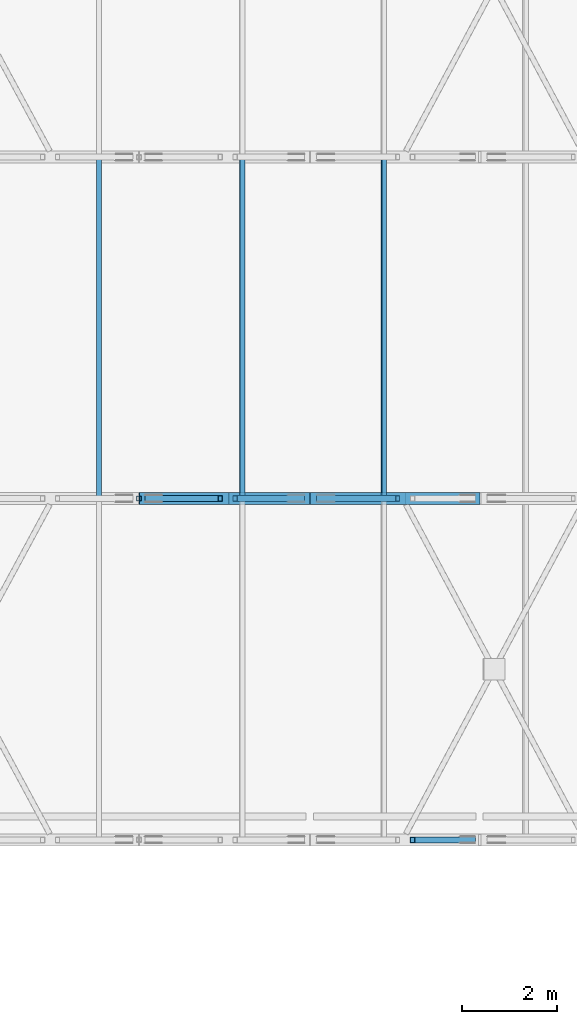
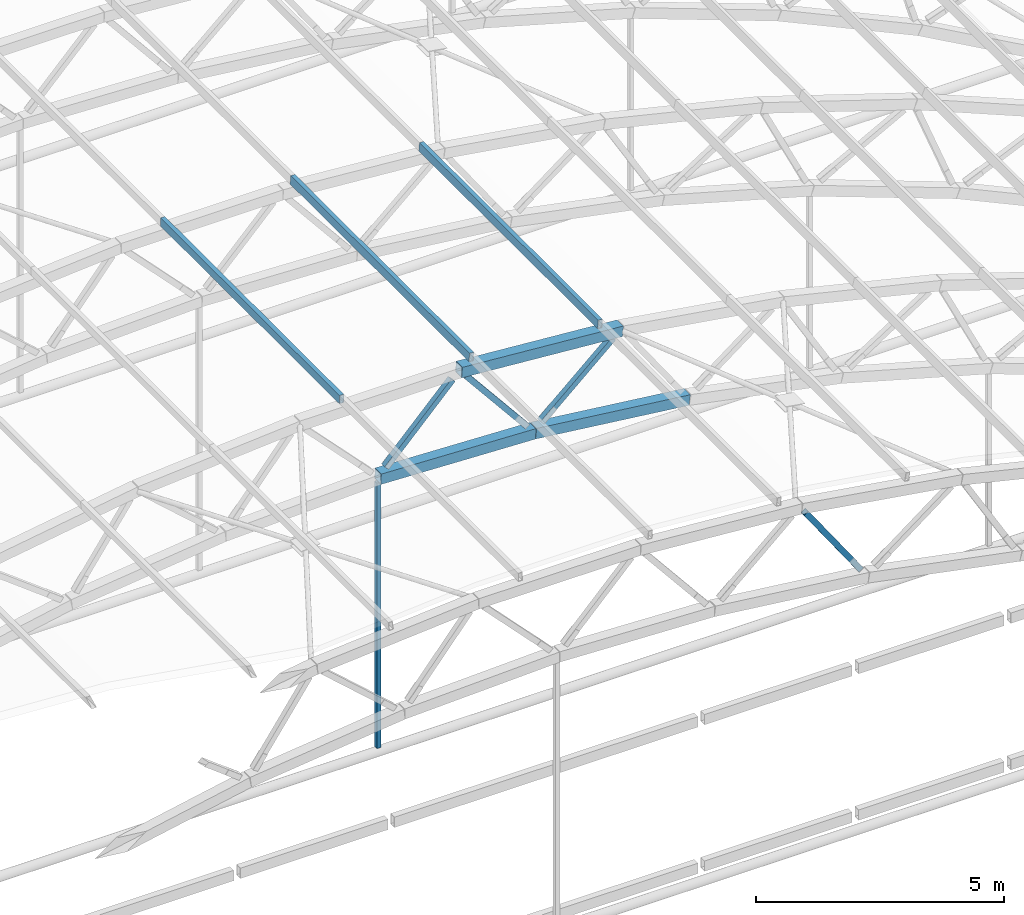
# One storey, part 15 of 127: 11 members.
"""IFC4 building model written with IfcOpenShell, lengths in metres."""

from ifc_helpers import new_model, si_unit, direction, frame, origin, origin_2d, place, context, subcontext, project, spatial, hollow_rectangle, extrude, material, material_profile, profile_set, type_object, element, save


model = new_model("IFC4")

# Units and contexts
model_context = context("Model", 3, precision=1e-05, world=origin(), true_north=direction((0.0, 1.0)))
body_context = subcontext(model_context, "Body", "Model", "MODEL_VIEW")
ifc_project = project(units=[si_unit("LENGTHUNIT", "METRE"), si_unit("AREAUNIT", "SQUARE_METRE"), si_unit("VOLUMEUNIT", "CUBIC_METRE"), si_unit("PLANEANGLEUNIT", "RADIAN"), si_unit("MASSUNIT", "GRAM", prefix="KILO")], contexts=[model_context])

# Site, building, storey
site_placement = place(None, origin())
site = spatial("IfcSite", under=ifc_project, at=site_placement, CompositionType="ELEMENT")
building_placement = place(site_placement, origin())
building = spatial("IfcBuilding", under=site, at=building_placement, Name="Verrick Yard Athletic Hall", CompositionType="ELEMENT")
storey_placement = place(building_placement, frame((0.0, 0.0, 14.0)))
storey = spatial("IfcBuildingStorey", under=building, at=storey_placement, Name="L03", CompositionType="ELEMENT", Elevation=14.0)

# Members
ifc_material = material(Name="Structural steel HSS Class C 350W (CSA G40.20/G40.21)", Category="steel")
ifc_material_profile_1 = material_profile(ifc_material, hollow_rectangle(XDim=0.25390625, YDim=0.25390625, WallThickness=0.009521484375, at=origin_2d()), Name="HSS254x254x9.5")
ifc_profile_set_1 = profile_set([ifc_material_profile_1], Name="Structural steel HSS Class C 350W (CSA G40.20/G40.21)")
member_type_1 = type_object("IfcMemberType", Name="HB bottom chord HSS254x254x9.5", PredefinedType="CHORD", material=ifc_profile_set_1)
for number, where, z_axis, x_axis, name in (
    (1, (52.0048828125, 79.199951171875, 6.757080078125), (0.999229864493, 0.0, -0.039238729647), (0.0, 1.0, 0.0), "Truss TB2 bottom chord 8"),
    (2, (55.608154296875, 79.199951171875, 6.615234375), (0.993094882284, 0.0, -0.117313915545), (0.0, 1.0, 0.0), "Truss TB2 bottom chord 9"),
):
    element("IfcMember", number, at=place(storey_placement, frame(where, z_axis=z_axis, x_axis=x_axis)), inside=storey, type_object=member_type_1, Name=name, PredefinedType="CHORD", context=body_context, shape_type="SweptSolid", body=[
        extrude(hollow_rectangle(XDim=0.25390625, YDim=0.25390625, WallThickness=0.009521484375, at=origin_2d()), origin(), (0.0, 0.0, 1.0), 3.59619140625),
    ])
ifc_material_profile_2 = material_profile(ifc_material, hollow_rectangle(XDim=0.1015625, YDim=0.203125, WallThickness=0.009521484375, at=origin_2d()), Name="HSS203x102x9.5")
ifc_profile_set_2 = profile_set([ifc_material_profile_2], Name="Structural steel HSS Class C 350W (CSA G40.20/G40.21)")
member_type_2 = type_object("IfcMemberType", Name="HB purlin HSS203x102x9.5", PredefinedType="PURLIN", material=ifc_profile_set_2)
for number, where, z_axis, x_axis, name in (
    (3, (51.15966796875, 79.199951171875, 8.948974609375), (0.0, 1.0, 0.0), (-1.0, 0.0, 0.0), "HB-PU-B-2-9"),
    (4, (54.1767578125, 79.199951171875, 8.92626953125), (0.0, 1.0, 0.0), (-0.996927304266, 0.0, 0.078332305011), "HB-PU-B-2-10"),
    (5, (57.16748046875, 79.199951171875, 8.69140625), (0.0, 1.0, 0.0), (-0.996927304266, 0.0, 0.078332305011), "HB-PU-B-2-11"),
):
    element("IfcMember", number, at=place(storey_placement, frame(where, z_axis=z_axis, x_axis=x_axis)), inside=storey, type_object=member_type_2, Name=name, PredefinedType="PURLIN", context=body_context, shape_type="SweptSolid", body=[
        extrude(hollow_rectangle(XDim=0.1015625, YDim=0.203125, WallThickness=0.009521484375, at=origin_2d()), origin(), (0.0, 0.0, 1.0), 7.199951171875),
    ])
ifc_material_profile_3 = material_profile(ifc_material, hollow_rectangle(XDim=0.25390625, YDim=0.25390625, WallThickness=0.009521484375, at=origin_2d()), Name="HSS254x254x9.5")
ifc_profile_set_3 = profile_set([ifc_material_profile_3], Name="Structural steel HSS Class C 350W (CSA G40.20/G40.21)")
member_type_3 = type_object("IfcMemberType", Name="HB top chord HSS254x254x9.5", PredefinedType="CHORD", material=ifc_profile_set_3)
member_1_placement = place(storey_placement, frame((53.886474609375, 79.199951171875, 8.719970703125), z_axis=(0.99692762922, 0.0, -0.07832816925), x_axis=(0.0, 1.0, 0.0)))
element("IfcMember", 6, at=member_1_placement, inside=storey, type_object=member_type_3, Name="Truss TB2 top chord 9", PredefinedType="CHORD", context=body_context, shape_type="SweptSolid", body=[
    extrude(hollow_rectangle(XDim=0.25390625, YDim=0.25390625, WallThickness=0.009521484375, at=origin_2d()), origin(), (0.0, 0.0, 1.0), 3.752685546875),
])
ifc_material_profile_4 = material_profile(ifc_material, hollow_rectangle(XDim=0.1015625, YDim=0.1015625, WallThickness=0.00634765625, at=origin_2d()), Name="HSS102x102x6.4")
ifc_profile_set_4 = profile_set([ifc_material_profile_4], Name="Structural steel HSS Class C 350W (CSA G40.20/G40.21)")
member_type_4 = type_object("IfcMemberType", Name="HB truss hanger HSS102x102x6.4", PredefinedType="MEMBER", material=ifc_profile_set_4)
member_2_placement = place(storey_placement, frame((52.0, 79.199951171875, 6.628173828125), z_axis=(0.0, 0.0, -1.0), x_axis=(0.0, -1.0, 0.0)))
element("IfcMember", 7, at=member_2_placement, inside=storey, type_object=member_type_4, Name="Truss TB2 hanger 2", PredefinedType="MEMBER", context=body_context, shape_type="SweptSolid", body=[
    extrude(hollow_rectangle(XDim=0.1015625, YDim=0.1015625, WallThickness=0.00634765625, at=origin_2d()), origin(), (0.0, 0.0, 1.0), 6.5185546875),
])
ifc_material_profile_5 = material_profile(ifc_material, hollow_rectangle(XDim=0.126953125, YDim=0.126953125, WallThickness=0.009521484375, at=origin_2d()), Name="HSS127x127x9.5")
ifc_profile_set_5 = profile_set([ifc_material_profile_5], Name="Structural steel HSS Class C 350W (CSA G40.20/G40.21)")
member_type_5 = type_object("IfcMemberType", Name="HB truss web HSS127x127x9.5", PredefinedType="BRACE", material=ifc_profile_set_5)
member_3_placement = place(storey_placement, frame((57.767822265625, 72.0, 8.231201171875), z_axis=(0.570664111571, 0.0, -0.821183579819), x_axis=(0.0, 1.0, 0.0)))
element("IfcMember", 8, at=member_3_placement, inside=storey, type_object=member_type_5, Name="Truss TB1 web 18", PredefinedType="BRACE", context=body_context, shape_type="SweptSolid", body=[
    extrude(hollow_rectangle(XDim=0.126953125, YDim=0.126953125, WallThickness=0.009521484375, at=origin_2d()), origin(), (0.0, 0.0, 1.0), 2.233642578125),
])
member_4_placement = place(storey_placement, frame((52.172119140625, 79.199951171875, 6.936767578125), z_axis=(0.691917233653, 0.0, 0.721976829112), x_axis=(0.0, 1.0, 0.0)))
element("IfcMember", 9, at=member_4_placement, inside=storey, type_object=member_type_5, Name="Truss TB2 web 15", PredefinedType="BRACE", context=body_context, shape_type="SweptSolid", body=[
    extrude(hollow_rectangle(XDim=0.126953125, YDim=0.126953125, WallThickness=0.009521484375, at=origin_2d()), origin(), (0.0, 0.0, 1.0), 2.2333984375),
])
for number, where, z_axis, x_axis, name in (
    (10, (54.03125, 79.199951171875, 8.537109375), (0.633267548908, 0.0, -0.773932950262), (0.0, 1.0, 0.0), "Truss TB2 web 16"),
    (11, (55.788818359375, 79.199951171875, 6.781494140625), (0.746389338881, 0.0, 0.66550954524), (0.0, 1.0, 0.0), "Truss TB2 web 17"),
):
    element("IfcMember", number, at=place(storey_placement, frame(where, z_axis=z_axis, x_axis=x_axis)), inside=storey, type_object=member_type_5, Name=name, PredefinedType="BRACE", context=body_context, shape_type="SweptSolid", body=[
        extrude(hollow_rectangle(XDim=0.126953125, YDim=0.126953125, WallThickness=0.009521484375, at=origin_2d()), origin(), (0.0, 0.0, 1.0), 2.233642578125),
    ])

save(model, "model.ifc")
